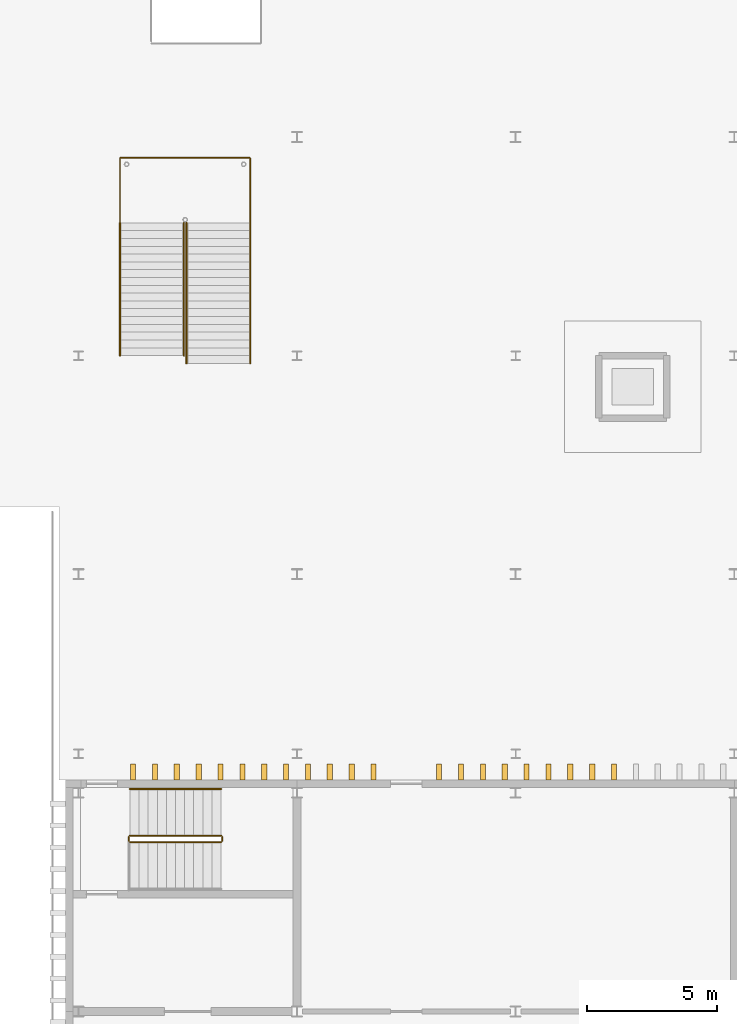
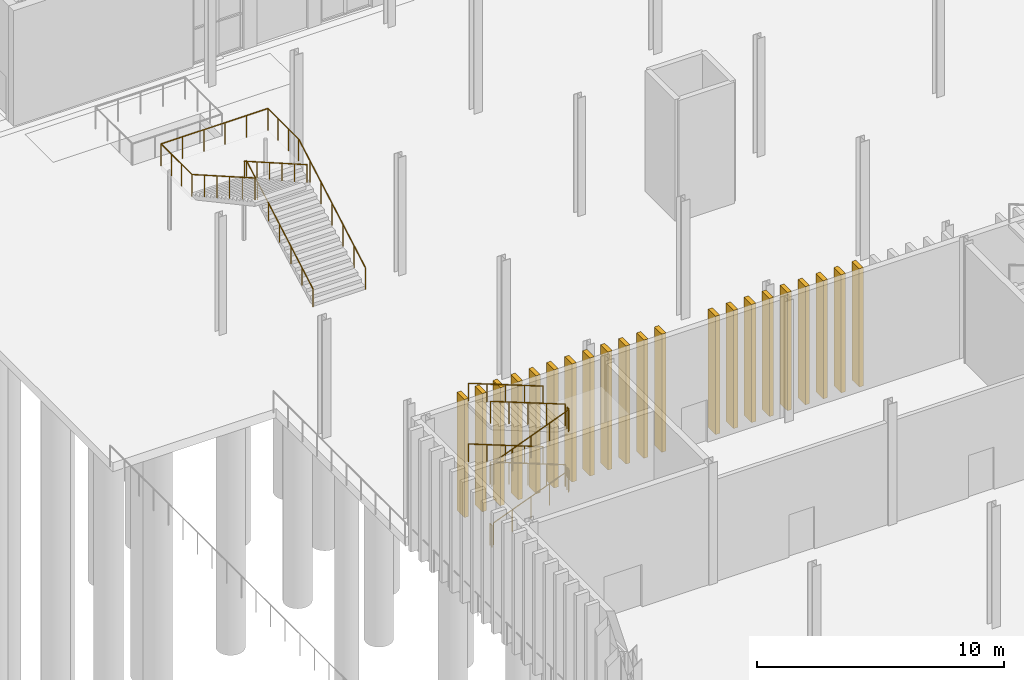
# One storey, part 87 of 108: 21 coverings, 15 railings.
"""IFC4 building model written with IfcOpenShell, lengths in metres."""

from ifc_helpers import new_model, si_unit, direction, frame, origin, origin_2d, place, context, subcontext, project, spatial, rectangle, circle, extrude, material, type_object, element, save


model = new_model("IFC4")

# Units and contexts
model_context = context("Model", 3, precision=1e-05, world=origin(), true_north=direction((0.0, 1.0)))
body_context = subcontext(model_context, "Body", "Model", "MODEL_VIEW")
ifc_project = project(units=[si_unit("LENGTHUNIT", "METRE"), si_unit("AREAUNIT", "SQUARE_METRE"), si_unit("VOLUMEUNIT", "CUBIC_METRE"), si_unit("PLANEANGLEUNIT", "RADIAN"), si_unit("MASSUNIT", "GRAM", prefix="KILO")], contexts=[model_context])

# Site, building, storey
site_placement = place(None, origin())
site = spatial("IfcSite", under=ifc_project, at=site_placement, CompositionType="ELEMENT")
building_placement = place(site_placement, origin())
building = spatial("IfcBuilding", under=site, at=building_placement, Name="Cresset Court Congress Hotel", CompositionType="ELEMENT")
storey_placement = place(building_placement, origin())
storey = spatial("IfcBuildingStorey", under=building, at=storey_placement, Name="L00", CompositionType="ELEMENT", Elevation=0.0)

# Railings
ifc_material_1 = material(Name="Steel and laminated glass", Category="steel")
railing_type_1 = type_object("IfcRailingType", Name="Guard 1100 steel and glass", PredefinedType="GUARDRAIL", material=ifc_material_1)
railing_1_placement = place(storey_placement, frame((10.3798828125, 23.300048828125, 0.136474609375)))
element("IfcRailing", 1, at=railing_1_placement, inside=storey, type_object=railing_type_1, Name="L00 ST-B1 stair guard 1", PredefinedType="GUARDRAIL", context=body_context, shape_type="SweptSolid", body=[
    extrude(circle(Radius=0.02392578125, at=origin_2d()), frame((0.0, 0.0, 1.076171875), z_axis=(0.931787385211, 0.0, 0.3630045024), x_axis=(0.0, 1.0, 0.0)), (0.0, 0.0, 1.0), 3.756103515625),
    extrude(circle(Radius=0.02099609375, at=origin_2d()), origin(), (0.0, 0.0, 1.0), 1.052001953125),
    extrude(circle(Radius=0.02099609375, at=origin_2d()), frame((0.875, 0.0, 0.3408203125)), (0.0, 0.0, 1.0), 1.052001953125),
    extrude(circle(Radius=0.02099609375, at=origin_2d()), frame((1.75, 0.0, 0.681640625)), (0.0, 0.0, 1.0), 1.052001953125),
    extrude(circle(Radius=0.02099609375, at=origin_2d()), frame((2.625, 0.0, 1.022705078125)), (0.0, 0.0, 1.0), 1.052001953125),
    extrude(circle(Radius=0.02099609375, at=origin_2d()), frame((3.5, 0.0, 1.363525390625)), (0.0, 0.0, 1.0), 1.052001953125),
])
railing_2_placement = place(storey_placement, frame((13.929931640625, 23.35009765625, 1.5)))
element("IfcRailing", 2, at=railing_2_placement, inside=storey, type_object=railing_type_1, Name="L00 ST-B1 stair guard 2", PredefinedType="GUARDRAIL", context=body_context, shape_type="SweptSolid", body=[
    extrude(circle(Radius=0.02392578125, at=origin_2d()), frame((0.0, 0.0, 1.076171875), z_axis=(0.0, 1.0, 0.0), x_axis=(-1.0, 0.0, 0.0)), (0.0, 0.0, 1.0), 0.14990234375),
    extrude(circle(Radius=0.02099609375, at=origin_2d()), origin(), (0.0, 0.0, 1.0), 1.052001953125),
    extrude(circle(Radius=0.02099609375, at=origin_2d()), frame((0.0, 0.14990234375, 0.0)), (0.0, 0.0, 1.0), 1.052001953125),
])
railing_3_placement = place(storey_placement, frame((13.8798828125, 23.550048828125, 1.636474609375)))
element("IfcRailing", 3, at=railing_3_placement, inside=storey, type_object=railing_type_1, Name="L00 ST-B1 stair guard 3", PredefinedType="GUARDRAIL", context=body_context, shape_type="SweptSolid", body=[
    extrude(circle(Radius=0.02392578125, at=origin_2d()), frame((0.0, 0.0, 1.076171875), z_axis=(-0.931787385211, 0.0, 0.3630045024), x_axis=(0.0, -1.0, 0.0)), (0.0, 0.0, 1.0), 3.756103515625),
    extrude(circle(Radius=0.02099609375, at=origin_2d()), origin(), (0.0, 0.0, 1.0), 1.052001953125),
    extrude(circle(Radius=0.02099609375, at=origin_2d()), frame((-0.875, 0.0, 0.3408203125)), (0.0, 0.0, 1.0), 1.052001953125),
    extrude(circle(Radius=0.02099609375, at=origin_2d()), frame((-1.75, 0.0, 0.681640625)), (0.0, 0.0, 1.0), 1.052001953125),
    extrude(circle(Radius=0.02099609375, at=origin_2d()), frame((-2.625, 0.0, 1.022705078125)), (0.0, 0.0, 1.0), 1.052001953125),
    extrude(circle(Radius=0.02099609375, at=origin_2d()), frame((-3.5, 0.0, 1.363525390625)), (0.0, 0.0, 1.0), 1.052001953125),
])
railing_4_placement = place(storey_placement, frame((10.330078125, 23.35009765625, 3.0)))
element("IfcRailing", 4, at=railing_4_placement, inside=storey, type_object=railing_type_1, Name="L00 ST-B1 stair guard 4", PredefinedType="GUARDRAIL", context=body_context, shape_type="SweptSolid", body=[
    extrude(circle(Radius=0.02392578125, at=origin_2d()), frame((0.0, 0.0, 1.076171875), z_axis=(0.0, 1.0, 0.0), x_axis=(-1.0, 0.0, 0.0)), (0.0, 0.0, 1.0), 0.14990234375),
    extrude(circle(Radius=0.02099609375, at=origin_2d()), origin(), (0.0, 0.0, 1.0), 1.052001953125),
    extrude(circle(Radius=0.02099609375, at=origin_2d()), frame((0.0, 0.14990234375, 0.0)), (0.0, 0.0, 1.0), 1.052001953125),
])
railing_5_placement = place(storey_placement, frame((10.3798828125, 23.300048828125, 3.136474609375)))
element("IfcRailing", 5, at=railing_5_placement, inside=storey, type_object=railing_type_1, Name="L00 ST-B1 stair guard 5", PredefinedType="GUARDRAIL", context=body_context, shape_type="SweptSolid", body=[
    extrude(circle(Radius=0.02392578125, at=origin_2d()), frame((0.0, 0.0, 1.076171875), z_axis=(0.931787385211, 0.0, 0.3630045024), x_axis=(0.0, 1.0, 0.0)), (0.0, 0.0, 1.0), 3.756103515625),
    extrude(circle(Radius=0.02099609375, at=origin_2d()), origin(), (0.0, 0.0, 1.0), 1.052001953125),
    extrude(circle(Radius=0.02099609375, at=origin_2d()), frame((0.875, 0.0, 0.3408203125)), (0.0, 0.0, 1.0), 1.052001953125),
    extrude(circle(Radius=0.02099609375, at=origin_2d()), frame((1.75, 0.0, 0.681640625)), (0.0, 0.0, 1.0), 1.052001953125),
    extrude(circle(Radius=0.02099609375, at=origin_2d()), frame((2.625, 0.0, 1.022705078125)), (0.0, 0.0, 1.0), 1.052001953125),
    extrude(circle(Radius=0.02099609375, at=origin_2d()), frame((3.5, 0.0, 1.363525390625)), (0.0, 0.0, 1.0), 1.052001953125),
])
railing_6_placement = place(storey_placement, frame((13.929931640625, 23.35009765625, 4.5)))
element("IfcRailing", 6, at=railing_6_placement, inside=storey, type_object=railing_type_1, Name="L00 ST-B1 stair guard 6", PredefinedType="GUARDRAIL", context=body_context, shape_type="SweptSolid", body=[
    extrude(circle(Radius=0.02392578125, at=origin_2d()), frame((0.0, 0.0, 1.076171875), z_axis=(0.0, 1.0, 0.0), x_axis=(-1.0, 0.0, 0.0)), (0.0, 0.0, 1.0), 0.14990234375),
    extrude(circle(Radius=0.02099609375, at=origin_2d()), origin(), (0.0, 0.0, 1.0), 1.052001953125),
    extrude(circle(Radius=0.02099609375, at=origin_2d()), frame((0.0, 0.14990234375, 0.0)), (0.0, 0.0, 1.0), 1.052001953125),
])
railing_7_placement = place(storey_placement, frame((13.8798828125, 23.550048828125, 4.636474609375)))
element("IfcRailing", 7, at=railing_7_placement, inside=storey, type_object=railing_type_1, Name="L00 ST-B1 stair guard 7", PredefinedType="GUARDRAIL", context=body_context, shape_type="SweptSolid", body=[
    extrude(circle(Radius=0.02392578125, at=origin_2d()), frame((0.0, 0.0, 1.076171875), z_axis=(-0.931787385211, 0.0, 0.3630045024), x_axis=(0.0, -1.0, 0.0)), (0.0, 0.0, 1.0), 3.756103515625),
    extrude(circle(Radius=0.02099609375, at=origin_2d()), origin(), (0.0, 0.0, 1.0), 1.052001953125),
    extrude(circle(Radius=0.02099609375, at=origin_2d()), frame((-0.875, 0.0, 0.3408203125)), (0.0, 0.0, 1.0), 1.052001953125),
    extrude(circle(Radius=0.02099609375, at=origin_2d()), frame((-1.75, 0.0, 0.681640625)), (0.0, 0.0, 1.0), 1.052001953125),
    extrude(circle(Radius=0.02099609375, at=origin_2d()), frame((-2.625, 0.0, 1.022705078125)), (0.0, 0.0, 1.0), 1.052001953125),
    extrude(circle(Radius=0.02099609375, at=origin_2d()), frame((-3.5, 0.0, 1.363525390625)), (0.0, 0.0, 1.0), 1.052001953125),
])
railing_8_placement = place(storey_placement, frame((10.330078125, 23.35009765625, 0.0)))
element("IfcRailing", 8, at=railing_8_placement, inside=storey, type_object=railing_type_1, Name="L00 ST-B1 stair guard 8", PredefinedType="GUARDRAIL", context=body_context, shape_type="SweptSolid", body=[
    extrude(circle(Radius=0.02392578125, at=origin_2d()), frame((0.0, 0.0, 1.076171875), z_axis=(0.0, 1.0, 0.0), x_axis=(-1.0, 0.0, 0.0)), (0.0, 0.0, 1.0), 0.14990234375),
    extrude(circle(Radius=0.02099609375, at=origin_2d()), origin(), (0.0, 0.0, 1.0), 1.052001953125),
    extrude(circle(Radius=0.02099609375, at=origin_2d()), frame((0.0, 0.14990234375, 0.0)), (0.0, 0.0, 1.0), 1.052001953125),
])
ifc_material_2 = material(Name="Galvanised steel", Category="steel")
railing_type_2 = type_object("IfcRailingType", Name="Guard 1100 steel balusters", PredefinedType="GUARDRAIL", material=ifc_material_2)
railing_9_placement = place(storey_placement, frame((10.0, 47.10009765625, 3.0810546875)))
element("IfcRailing", 9, at=railing_9_placement, inside=storey, type_object=railing_type_2, Name="Stair guard D01", PredefinedType="GUARDRAIL", context=body_context, shape_type="SweptSolid", body=[
    extrude(circle(Radius=0.02490234375, at=origin_2d()), frame((0.0, 0.0, 1.0751953125), z_axis=(0.0, 1.0, 0.0), x_axis=(-1.0, 0.0, 0.0)), (0.0, 0.0, 1.0), 2.5),
    extrude(circle(Radius=0.02490234375, at=origin_2d()), frame((0.0, 2.5, 1.0751953125), z_axis=(1.0, 0.0, 0.0), x_axis=(0.0, 1.0, 0.0)), (0.0, 0.0, 1.0), 5.0),
    extrude(circle(Radius=0.02490234375, at=origin_2d()), frame((5.0, 2.5, 1.0751953125), z_axis=(0.0, -1.0, 0.0), x_axis=(1.0, 0.0, 0.0)), (0.0, 0.0, 1.0), 2.5),
    extrude(circle(Radius=0.02001953125, at=origin_2d()), origin(), (0.0, 0.0, 1.0), 1.050048828125),
    extrude(circle(Radius=0.02001953125, at=origin_2d()), frame((0.0, 0.833251953125, 0.0)), (0.0, 0.0, 1.0), 1.050048828125),
    extrude(circle(Radius=0.02001953125, at=origin_2d()), frame((0.0, 1.666748046875, 0.0)), (0.0, 0.0, 1.0), 1.050048828125),
    extrude(circle(Radius=0.02001953125, at=origin_2d()), frame((0.0, 2.5, 0.0)), (0.0, 0.0, 1.0), 1.050048828125),
    extrude(circle(Radius=0.02001953125, at=origin_2d()), frame((1.0, 2.5, 0.0)), (0.0, 0.0, 1.0), 1.050048828125),
    extrude(circle(Radius=0.02001953125, at=origin_2d()), frame((2.0, 2.5, 0.0)), (0.0, 0.0, 1.0), 1.050048828125),
    extrude(circle(Radius=0.02001953125, at=origin_2d()), frame((3.0, 2.5, 0.0)), (0.0, 0.0, 1.0), 1.050048828125),
    extrude(circle(Radius=0.02001953125, at=origin_2d()), frame((4.0, 2.5, 0.0)), (0.0, 0.0, 1.0), 1.050048828125),
    extrude(circle(Radius=0.02001953125, at=origin_2d()), frame((5.0, 2.5, 0.0)), (0.0, 0.0, 1.0), 1.050048828125),
    extrude(circle(Radius=0.02001953125, at=origin_2d()), frame((5.0, 1.666748046875, 0.0)), (0.0, 0.0, 1.0), 1.050048828125),
    extrude(circle(Radius=0.02001953125, at=origin_2d()), frame((5.0, 0.833251953125, 0.0)), (0.0, 0.0, 1.0), 1.050048828125),
    extrude(circle(Radius=0.02001953125, at=origin_2d()), frame((5.0, 0.0, 0.0)), (0.0, 0.0, 1.0), 1.050048828125),
])
railing_10_placement = place(storey_placement, frame((10.0, 42.0, 6.0)))
element("IfcRailing", 10, at=railing_10_placement, inside=storey, type_object=railing_type_2, Name="Stair side guard D01A", PredefinedType="GUARDRAIL", context=body_context, shape_type="SweptSolid", body=[
    extrude(circle(Radius=0.02490234375, at=origin_2d()), frame((0.0, 0.0, 1.0751953125), z_axis=(0.0, 0.867905456201, -0.496729422419), x_axis=(-1.0, 0.0, 0.0)), (0.0, 0.0, 1.0), 5.876220703125),
    extrude(circle(Radius=0.02001953125, at=origin_2d()), origin(), (0.0, 0.0, 1.0), 1.050048828125),
    extrude(circle(Radius=0.02001953125, at=origin_2d()), frame((0.0, 1.02001953125, -0.583740234375)), (0.0, 0.0, 1.0), 1.050048828125),
    extrude(circle(Radius=0.02001953125, at=origin_2d()), frame((0.0, 2.0400390625, -1.16748046875)), (0.0, 0.0, 1.0), 1.050048828125),
    extrude(circle(Radius=0.02001953125, at=origin_2d()), frame((0.0, 3.06005859375, -1.75146484375)), (0.0, 0.0, 1.0), 1.050048828125),
    extrude(circle(Radius=0.02001953125, at=origin_2d()), frame((0.0, 4.080078125, -2.335205078125)), (0.0, 0.0, 1.0), 1.050048828125),
    extrude(circle(Radius=0.02001953125, at=origin_2d()), frame((0.0, 5.10009765625, -2.9189453125)), (0.0, 0.0, 1.0), 1.050048828125),
])
railing_11_placement = place(storey_placement, frame((15.0, 47.10009765625, 3.0810546875)))
element("IfcRailing", 11, at=railing_11_placement, inside=storey, type_object=railing_type_2, Name="Stair side guard D01B", PredefinedType="GUARDRAIL", context=body_context, shape_type="SweptSolid", body=[
    extrude(circle(Radius=0.02490234375, at=origin_2d()), frame((0.0, 0.0, 1.0751953125), z_axis=(0.0, -0.868571595618, -0.49556370255), x_axis=(1.0, 0.0, 0.0)), (0.0, 0.0, 1.0), 6.21728515625),
    extrude(circle(Radius=0.02001953125, at=origin_2d()), origin(), (0.0, 0.0, 1.0), 1.050048828125),
    extrude(circle(Radius=0.02001953125, at=origin_2d()), frame((0.0, -0.89990234375, -0.513427734375)), (0.0, 0.0, 1.0), 1.050048828125),
    extrude(circle(Radius=0.02001953125, at=origin_2d()), frame((0.0, -1.800048828125, -1.027099609375)), (0.0, 0.0, 1.0), 1.050048828125),
    extrude(circle(Radius=0.02001953125, at=origin_2d()), frame((0.0, -2.7001953125, -1.54052734375)), (0.0, 0.0, 1.0), 1.050048828125),
    extrude(circle(Radius=0.02001953125, at=origin_2d()), frame((0.0, -3.60009765625, -2.053955078125)), (0.0, 0.0, 1.0), 1.050048828125),
    extrude(circle(Radius=0.02001953125, at=origin_2d()), frame((0.0, -4.5, -2.567626953125)), (0.0, 0.0, 1.0), 1.050048828125),
    extrude(circle(Radius=0.02001953125, at=origin_2d()), frame((0.0, -5.400146484375, -3.0810546875)), (0.0, 0.0, 1.0), 1.050048828125),
])
ifc_material_3 = material(Name="Stainless steel", Category="steel")
railing_type_3 = type_object("IfcRailingType", Name="Handrail 48 stainless", PredefinedType="HANDRAIL", material=ifc_material_3)
for number, where, name in (
    (12, (13.8798828125, 25.35009765625, 1.636474609375), "L00 ST-B1 stair handrail 2"),
    (13, (13.8798828125, 25.35009765625, 4.636474609375), "L00 ST-B1 stair handrail 4"),
):
    element("IfcRailing", number, at=place(storey_placement, frame(where)), inside=storey, type_object=railing_type_3, Name=name, PredefinedType="HANDRAIL", context=body_context, shape_type="SweptSolid", body=[
        extrude(circle(Radius=0.02392578125, at=origin_2d()), frame((0.0, 0.0, 0.8759765625), z_axis=(-0.931787385211, 0.0, 0.3630045024), x_axis=(0.0, -1.0, 0.0)), (0.0, 0.0, 1.0), 3.756103515625),
        extrude(circle(Radius=0.02099609375, at=origin_2d()), origin(), (0.0, 0.0, 1.0), 0.851806640625),
        extrude(circle(Radius=0.02099609375, at=origin_2d()), frame((-0.875, 0.0, 0.3408203125)), (0.0, 0.0, 1.0), 0.851806640625),
        extrude(circle(Radius=0.02099609375, at=origin_2d()), frame((-1.75, 0.0, 0.681640625)), (0.0, 0.0, 1.0), 0.851806640625),
        extrude(circle(Radius=0.02099609375, at=origin_2d()), frame((-2.625, 0.0, 1.022705078125)), (0.0, 0.0, 1.0), 0.851806640625),
        extrude(circle(Radius=0.02099609375, at=origin_2d()), frame((-3.5, 0.0, 1.363525390625)), (0.0, 0.0, 1.0), 0.851806640625),
    ])
ifc_material_4 = material(Name="Stainless steel", Category="steel")
railing_type_4 = type_object("IfcRailingType", Name="Handrail 900 steel", PredefinedType="HANDRAIL", material=ifc_material_4)
railing_12_placement = place(storey_placement, frame((12.449951171875, 47.10009765625, 3.0810546875)))
element("IfcRailing", 14, at=railing_12_placement, inside=storey, type_object=railing_type_4, Name="Stair handrail D01A", PredefinedType="HANDRAIL", context=body_context, shape_type="SweptSolid", body=[
    extrude(circle(Radius=0.02490234375, at=origin_2d()), frame((0.0, 0.0, 0.875), z_axis=(0.0, -0.867905456201, 0.496729422419), x_axis=(1.0, 0.0, 0.0)), (0.0, 0.0, 1.0), 5.876220703125),
    extrude(circle(Radius=0.02001953125, at=origin_2d()), origin(), (0.0, 0.0, 1.0), 0.849853515625),
    extrude(circle(Radius=0.02001953125, at=origin_2d()), frame((0.0, -1.02001953125, 0.583740234375)), (0.0, 0.0, 1.0), 0.849853515625),
    extrude(circle(Radius=0.02001953125, at=origin_2d()), frame((0.0, -2.0400390625, 1.16748046875)), (0.0, 0.0, 1.0), 0.849853515625),
    extrude(circle(Radius=0.02001953125, at=origin_2d()), frame((0.0, -3.06005859375, 1.75146484375)), (0.0, 0.0, 1.0), 0.849853515625),
    extrude(circle(Radius=0.02001953125, at=origin_2d()), frame((0.0, -4.080078125, 2.335205078125)), (0.0, 0.0, 1.0), 0.849853515625),
    extrude(circle(Radius=0.02001953125, at=origin_2d()), frame((0.0, -5.10009765625, 2.9189453125)), (0.0, 0.0, 1.0), 0.849853515625),
])
railing_13_placement = place(storey_placement, frame((12.550048828125, 47.10009765625, 3.0810546875)))
element("IfcRailing", 15, at=railing_13_placement, inside=storey, type_object=railing_type_4, Name="Stair handrail D01B", PredefinedType="HANDRAIL", context=body_context, shape_type="SweptSolid", body=[
    extrude(circle(Radius=0.02490234375, at=origin_2d()), frame((0.0, 0.0, 0.875), z_axis=(0.0, -0.868571595618, -0.49556370255), x_axis=(1.0, 0.0, 0.0)), (0.0, 0.0, 1.0), 6.21728515625),
    extrude(circle(Radius=0.02001953125, at=origin_2d()), origin(), (0.0, 0.0, 1.0), 0.849853515625),
    extrude(circle(Radius=0.02001953125, at=origin_2d()), frame((0.0, -0.89990234375, -0.513427734375)), (0.0, 0.0, 1.0), 0.849853515625),
    extrude(circle(Radius=0.02001953125, at=origin_2d()), frame((0.0, -1.800048828125, -1.027099609375)), (0.0, 0.0, 1.0), 0.849853515625),
    extrude(circle(Radius=0.02001953125, at=origin_2d()), frame((0.0, -2.7001953125, -1.54052734375)), (0.0, 0.0, 1.0), 0.849853515625),
    extrude(circle(Radius=0.02001953125, at=origin_2d()), frame((0.0, -3.60009765625, -2.053955078125)), (0.0, 0.0, 1.0), 0.849853515625),
    extrude(circle(Radius=0.02001953125, at=origin_2d()), frame((0.0, -4.5, -2.567626953125)), (0.0, 0.0, 1.0), 0.849853515625),
    extrude(circle(Radius=0.02001953125, at=origin_2d()), frame((0.0, -5.400146484375, -3.0810546875)), (0.0, 0.0, 1.0), 0.849853515625),
])

# Coverings
ifc_material_5 = material(Name="Precast concrete C50", Category="concrete")
covering_type = type_object("IfcCoveringType", Name="Precast stone fin 200x600 variant 1", PredefinedType="CLADDING", material=ifc_material_5)
for number, where, z_axis, x_axis, name in (
    (16, (10.5, 26.0, 0.0), (0.0, 0.0, 1.0), (1.0, 0.0, 0.0), "Fin N00-002"),
    (17, (11.340087890625, 26.0, 0.0), (0.0, 0.0, 1.0), (1.0, 0.0, 0.0), "Fin N00-003"),
    (18, (12.179931640625, 26.0, 0.0), (0.0, 0.0, 1.0), (1.0, 0.0, 0.0), "Fin N00-004"),
    (19, (13.02001953125, 26.0, 0.0), (0.0, 0.0, 1.0), (1.0, 0.0, 0.0), "Fin N00-005"),
    (20, (13.860107421875, 26.0, 0.0), (0.0, 0.0, 1.0), (1.0, 0.0, 0.0), "Fin N00-006"),
    (21, (14.699951171875, 26.0, 0.0), (0.0, 0.0, 1.0), (1.0, 0.0, 0.0), "Fin N00-007"),
    (22, (15.5400390625, 26.0, 0.0), (0.0, 0.0, 1.0), (1.0, 0.0, 0.0), "Fin N00-008"),
    (23, (16.3798828125, 26.0, 0.0), (0.0, 0.0, 1.0), (1.0, 0.0, 0.0), "Fin N00-009"),
    (24, (17.219970703125, 26.0, 0.0), (0.0, 0.0, 1.0), (1.0, 0.0, 0.0), "Fin N00-010"),
    (25, (18.06005859375, 26.0, 0.0), (0.0, 0.0, 1.0), (1.0, 0.0, 0.0), "Fin N00-011"),
    (26, (18.89990234375, 26.0, 0.0), (0.0, 0.0, 1.0), (1.0, 0.0, 0.0), "Fin N00-012"),
    (27, (19.739990234375, 26.0, 0.0), (0.0, 0.0, 1.0), (1.0, 0.0, 0.0), "Fin N00-013"),
    (28, (22.260009765625, 26.0, 0.0), (0.0, 0.0, 1.0), (1.0, 0.0, 0.0), "Fin N00-016"),
    (29, (23.10009765625, 26.0, 0.0), (0.0, 0.0, 1.0), (1.0, 0.0, 0.0), "Fin N00-017"),
    (30, (23.93994140625, 26.0, 0.0), (0.0, 0.0, 1.0), (1.0, 0.0, 0.0), "Fin N00-018"),
    (31, (24.780029296875, 26.0, 0.0), (0.0, 0.0, 1.0), (1.0, 0.0, 0.0), "Fin N00-019"),
    (32, (25.6201171875, 26.0, 0.0), (0.0, 0.0, 1.0), (1.0, 0.0, 0.0), "Fin N00-020"),
    (33, (26.4599609375, 26.0, 0.0), (0.0, 0.0, 1.0), (1.0, 0.0, 0.0), "Fin N00-021"),
    (34, (27.300048828125, 26.0, 0.0), (0.0, 0.0, 1.0), (1.0, 0.0, 0.0), "Fin N00-022"),
    (35, (28.139892578125, 26.0, 0.0), (0.0, 0.0, 1.0), (1.0, 0.0, 0.0), "Fin N00-023"),
    (36, (28.97998046875, 26.0, 0.0), (0.0, 0.0, 1.0), (1.0, 0.0, 0.0), "Fin N00-024"),
):
    element("IfcCovering", number, at=place(storey_placement, frame(where, z_axis=z_axis, x_axis=x_axis)), inside=storey, type_object=covering_type, Name=name, PredefinedType="CLADDING", context=body_context, shape_type="SweptSolid", body=[
        extrude(rectangle(XDim=0.199951171875, YDim=0.60009765625, at=origin_2d()), origin(), (0.0, 0.0, 1.0), 5.85009765625),
    ])

save(model, "model.ifc")
